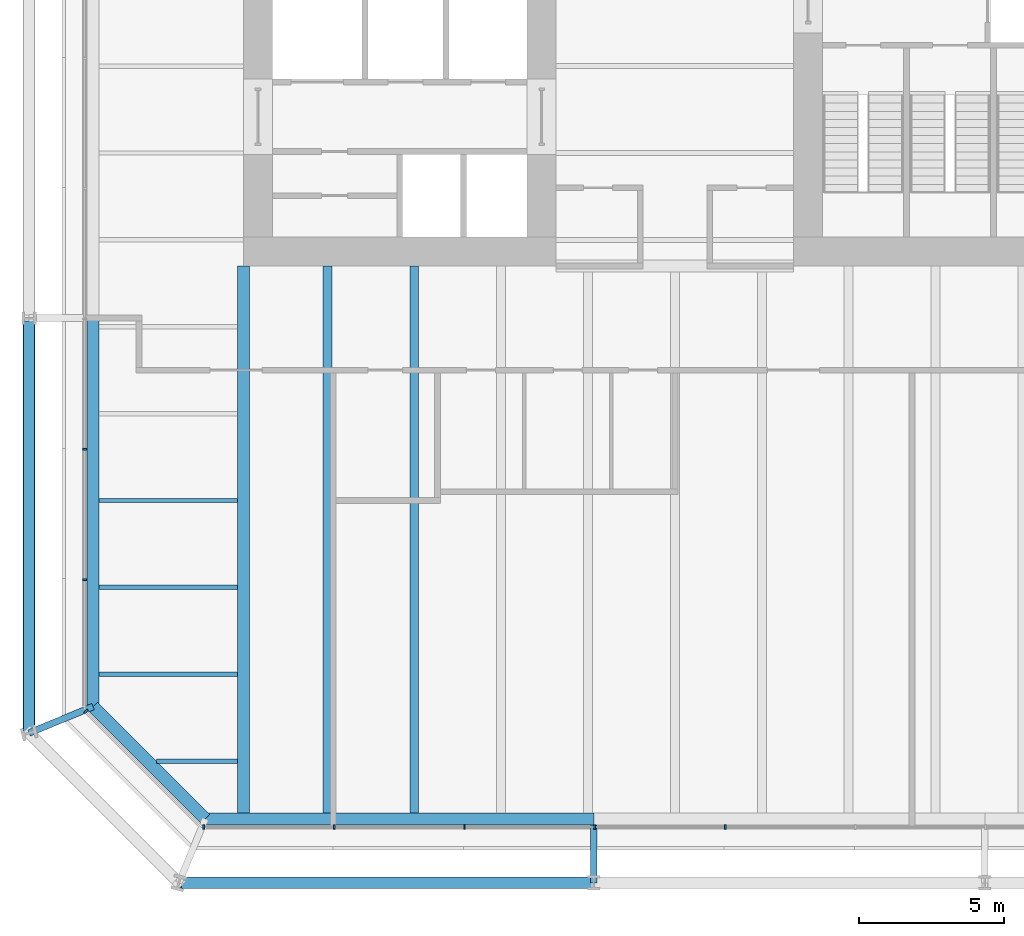
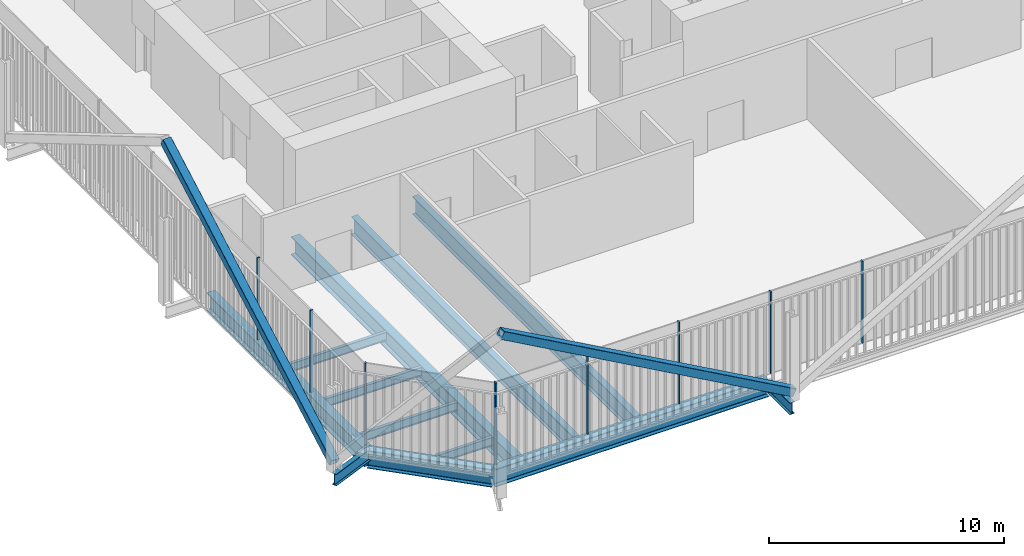
# One storey, part 2 of 21: 12 beams, 10 members, 3 elements without a shape of their own.
"""IFC4 building model written with IfcOpenShell, lengths in metres."""

from ifc_helpers import new_model, si_unit, direction, frame, origin, origin_2d, place, context, subcontext, project, spatial, rectangle, hollow_rectangle, i_section, extrude, material, layer, layer_set, material_profile, profile_set, type_object, element, aggregate, save


model = new_model("IFC4")

# Units and contexts
model_context = context("Model", 3, precision=1e-05, world=origin(), true_north=direction((0.0, 1.0)))
body_context = subcontext(model_context, "Body", "Model", "MODEL_VIEW")
ifc_project = project(units=[si_unit("LENGTHUNIT", "METRE"), si_unit("AREAUNIT", "SQUARE_METRE"), si_unit("VOLUMEUNIT", "CUBIC_METRE"), si_unit("PLANEANGLEUNIT", "RADIAN"), si_unit("MASSUNIT", "GRAM", prefix="KILO")], contexts=[model_context])

# Site, building, storey
site_placement = place(None, origin())
site = spatial("IfcSite", under=ifc_project, at=site_placement, CompositionType="ELEMENT")
building_placement = place(site_placement, origin())
building = spatial("IfcBuilding", under=site, at=building_placement, Name="Millrace Tower", CompositionType="ELEMENT")
storey_placement = place(building_placement, frame((0.0, 0.0, 95.199951171875)))
storey = spatial("IfcBuildingStorey", under=building, at=storey_placement, Name="L21", CompositionType="ELEMENT", Elevation=95.199951171875)

# Curtain wall, member
ifc_material_1 = material(Name="Aluminium and glass", Category="aluminium")
ifc_layer = layer(ifc_material_1, 0.14990234375)
ifc_layer_set = layer_set([ifc_layer], Name="Aluminium and glass")
curtain_wall_type = type_object("IfcCurtainWallType", Name="CW-3 telecom floor curtain wall", PredefinedType="NOTDEFINED", material=ifc_layer_set)
placement = place(storey_placement, origin())
curtain_wall_1 = element("IfcCurtainWall", 1, at=placement, inside=storey, type_object=curtain_wall_type, Name="Curtain wall B-F01 L21", PredefinedType="NOTDEFINED")
ifc_material_2 = material(Name="Aluminium", Category="aluminium")
ifc_material_profile_1 = material_profile(ifc_material_2, rectangle(XDim=0.06494140625, YDim=0.14990234375, at=origin_2d()))
ifc_profile_set_1 = profile_set([ifc_material_profile_1], Name="Aluminium")
member_type_1 = type_object("IfcMemberType", Name="CW-3 telecom floor curtain wall mullion", PredefinedType="MULLION", material=ifc_profile_set_1)
member_1_placement = place(storey_placement, frame((-20.330078125, -25.276123046875, 0.150146484375), z_axis=(0.0, 0.0, 1.0), x_axis=(0.707106781187, -0.707106781187, 0.0)))
member_1 = element("IfcMember", 2, at=member_1_placement, type_object=member_type_1, Name="CW3 mullion B-F01.1", PredefinedType="MULLION", context=body_context, shape_type="SweptSolid", body=[
    extrude(rectangle(XDim=0.06494140625, YDim=0.14990234375, at=origin_2d()), origin(), (0.0, 0.0, 1.0), 4.25),
])
aggregate(curtain_wall_1, [member_1])

# Curtain wall, members
curtain_wall_2 = element("IfcCurtainWall", 3, at=placement, inside=storey, type_object=curtain_wall_type, Name="Curtain wall B-F02 L21", PredefinedType="NOTDEFINED")
member_2_placement = place(storey_placement, frame((-16.267578125, -29.27490234375, 0.150146484375), z_axis=(0.0, 0.0, 1.0), x_axis=(1.0, 0.0, 0.0)))
member_2 = element("IfcMember", 4, at=member_2_placement, type_object=member_type_1, Name="CW3 mullion B-F02.1", PredefinedType="MULLION", context=body_context, shape_type="SweptSolid", body=[
    extrude(rectangle(XDim=0.06494140625, YDim=0.14990234375, at=origin_2d()), origin(), (0.0, 0.0, 1.0), 4.25),
])
member_3_placement = place(storey_placement, frame((-11.767578125, -29.27490234375, 0.150146484375), z_axis=(0.0, 0.0, 1.0), x_axis=(1.0, 0.0, 0.0)))
member_3 = element("IfcMember", 5, at=member_3_placement, type_object=member_type_1, Name="CW3 mullion B-F02.2", PredefinedType="MULLION", context=body_context, shape_type="SweptSolid", body=[
    extrude(rectangle(XDim=0.06494140625, YDim=0.14990234375, at=origin_2d()), origin(), (0.0, 0.0, 1.0), 4.25),
])
member_4_placement = place(storey_placement, frame((-7.267578125, -29.27490234375, 0.150146484375), z_axis=(0.0, 0.0, 1.0), x_axis=(1.0, 0.0, 0.0)))
member_4 = element("IfcMember", 6, at=member_4_placement, type_object=member_type_1, Name="CW3 mullion B-F02.3", PredefinedType="MULLION", context=body_context, shape_type="SweptSolid", body=[
    extrude(rectangle(XDim=0.06494140625, YDim=0.14990234375, at=origin_2d()), origin(), (0.0, 0.0, 1.0), 4.25),
])
member_5_placement = place(storey_placement, frame((-2.767578125, -29.27490234375, 0.150146484375), z_axis=(0.0, 0.0, 1.0), x_axis=(1.0, 0.0, 0.0)))
member_5 = element("IfcMember", 7, at=member_5_placement, type_object=member_type_1, Name="CW3 mullion B-F02.4", PredefinedType="MULLION", context=body_context, shape_type="SweptSolid", body=[
    extrude(rectangle(XDim=0.06494140625, YDim=0.14990234375, at=origin_2d()), origin(), (0.0, 0.0, 1.0), 4.25),
])
member_6_placement = place(storey_placement, frame((1.732421875, -29.27490234375, 0.150146484375), z_axis=(0.0, 0.0, 1.0), x_axis=(1.0, 0.0, 0.0)))
member_6 = element("IfcMember", 8, at=member_6_placement, type_object=member_type_1, Name="CW3 mullion B-F02.5", PredefinedType="MULLION", context=body_context, shape_type="SweptSolid", body=[
    extrude(rectangle(XDim=0.06494140625, YDim=0.14990234375, at=origin_2d()), origin(), (0.0, 0.0, 1.0), 4.25),
])
aggregate(curtain_wall_2, [member_2, member_3, member_4, member_5, member_6])

curtain_wall_3 = element("IfcCurtainWall", 9, at=placement, inside=storey, type_object=curtain_wall_type, Name="Curtain wall B-F08 L21", PredefinedType="NOTDEFINED")
member_7_placement = place(storey_placement, frame((-20.375, -16.232421875, 0.150146484375), z_axis=(0.0, 0.0, 1.0), x_axis=(0.0, -1.0, 0.0)))
member_7 = element("IfcMember", 10, at=member_7_placement, type_object=member_type_1, Name="CW3 mullion B-F08.8", PredefinedType="MULLION", context=body_context, shape_type="SweptSolid", body=[
    extrude(rectangle(XDim=0.06494140625, YDim=0.14990234375, at=origin_2d()), origin(), (0.0, 0.0, 1.0), 4.25),
])
member_8_placement = place(storey_placement, frame((-20.375, -20.732421875, 0.150146484375), z_axis=(0.0, 0.0, 1.0), x_axis=(0.0, -1.0, 0.0)))
member_8 = element("IfcMember", 11, at=member_8_placement, type_object=member_type_1, Name="CW3 mullion B-F08.9", PredefinedType="MULLION", context=body_context, shape_type="SweptSolid", body=[
    extrude(rectangle(XDim=0.06494140625, YDim=0.14990234375, at=origin_2d()), origin(), (0.0, 0.0, 1.0), 4.25),
])
aggregate(curtain_wall_3, [member_7, member_8])

# Members
ifc_material_3 = material(Name="Steel ASTM A500 Grade C", Category="steel")
ifc_material_profile_2 = material_profile(ifc_material_3, hollow_rectangle(XDim=0.406494140625, YDim=0.406494140625, WallThickness=0.0126953125, InnerFilletRadius=0.00634765625, OuterFilletRadius=0.01904296875, at=origin_2d()))
ifc_profile_set_2 = profile_set([ifc_material_profile_2], Name="Steel ASTM A500 Grade C")
member_type_2 = type_object("IfcMemberType", Name="Exoskeleton brace HSS16x16x1/2", PredefinedType="BRACE", material=ifc_profile_set_2)
for number, where, z_axis, x_axis, name in (
    (12, (-2.800048828125, -31.199951171875, 0.400146484375), (-0.873125840427, 0.0, 0.487494888976), (0.0, -1.0, 0.0), "BRC-B-L21-02"),
    (13, (-22.300048828125, -26.0283203125, 0.400146484375), (0.0, 0.873125840427, 0.487494888976), (-1.0, 0.0, 0.0), "BRC-B-L21-16"),
):
    element("IfcMember", number, at=place(storey_placement, frame(where, z_axis=z_axis, x_axis=x_axis)), inside=storey, type_object=member_type_2, Name=name, PredefinedType="BRACE", context=body_context, shape_type="SweptSolid", body=[
        extrude(hollow_rectangle(XDim=0.406494140625, YDim=0.406494140625, WallThickness=0.0126953125, InnerFilletRadius=0.00634765625, OuterFilletRadius=0.01904296875, at=origin_2d()), origin(), (0.0, 0.0, 1.0), 16.410400390625),
    ])

# Beams
ifc_material_4 = material(Name="Steel ASTM A992 Grade 50", Category="steel")
ifc_material_profile_3 = material_profile(ifc_material_4, i_section(OverallWidth=0.15234375, OverallDepth=0.449462890625, WebThickness=0.007568359375, FlangeThickness=0.0107421875, FilletRadius=0.01025390625, at=origin_2d()))
ifc_profile_set_3 = profile_set([ifc_material_profile_3], Name="Steel ASTM A992 Grade 50")
beam_type_1 = type_object("IfcBeamType", Name="Floor beam W18x35", PredefinedType="JOIST", material=ifc_profile_set_3)
for number, where, z_axis, x_axis, name in (
    (14, (-19.880859375, -24.0, -0.4248046875), (1.0, 0.0, 0.0), (0.0, 1.0, 0.0), "BM-B-L21-S1-S003"),
    (15, (-19.880859375, -21.0, -0.4248046875), (1.0, 0.0, 0.0), (0.0, 1.0, 0.0), "BM-B-L21-S1-S005"),
    (16, (-19.880859375, -18.0, -0.4248046875), (1.0, 0.0, 0.0), (0.0, 1.0, 0.0), "BM-B-L21-S1-S007"),
):
    element("IfcBeam", number, at=place(storey_placement, frame(where, z_axis=z_axis, x_axis=x_axis)), inside=storey, type_object=beam_type_1, Name=name, PredefinedType="JOIST", context=body_context, shape_type="SweptSolid", body=[
        extrude(i_section(OverallWidth=0.15234375, OverallDepth=0.449462890625, WebThickness=0.007568359375, FlangeThickness=0.0107421875, FilletRadius=0.01025390625, at=origin_2d()), origin(), (0.0, 0.0, 1.0), 4.77001953125),
    ])
beam_1_placement = place(storey_placement, frame((-17.895263671875, -27.0, -0.4248046875), z_axis=(1.0, 0.0, 0.0), x_axis=(0.0, 1.0, 0.0)))
element("IfcBeam", 17, at=beam_1_placement, inside=storey, type_object=beam_type_1, Name="BM-B-L21-S1-S001", PredefinedType="JOIST", context=body_context, shape_type="SweptSolid", body=[
    extrude(i_section(OverallWidth=0.15234375, OverallDepth=0.449462890625, WebThickness=0.007568359375, FlangeThickness=0.0107421875, FilletRadius=0.01025390625, at=origin_2d()), origin(), (0.0, 0.0, 1.0), 2.784423828125),
])
ifc_material_5 = material(Name="Steel ASTM A992 Grade 50", Category="steel")
ifc_material_profile_4 = material_profile(ifc_material_5, i_section(OverallWidth=0.307373046875, OverallDepth=0.927001953125, WebThickness=0.01953125, FlangeThickness=0.031982421875, FilletRadius=0.01904296875, at=origin_2d()))
ifc_profile_set_4 = profile_set([ifc_material_profile_4], Name="Steel ASTM A992 Grade 50")
beam_type_2 = type_object("IfcBeamType", Name="Floor beam W36x194", PredefinedType="JOIST", material=ifc_profile_set_4)
for number, where, z_axis, x_axis, name in (
    (18, (-12.0, -28.781005859375, -0.66357421875), (0.0, 1.0, 0.0), (-1.0, 0.0, 0.0), "BM-B-L21-S1-S041"),
    (19, (-9.0, -28.781005859375, -0.66357421875), (0.0, 1.0, 0.0), (-1.0, 0.0, 0.0), "BM-B-L21-S1-S043"),
):
    element("IfcBeam", number, at=place(storey_placement, frame(where, z_axis=z_axis, x_axis=x_axis)), inside=storey, type_object=beam_type_2, Name=name, PredefinedType="JOIST", context=body_context, shape_type="SweptSolid", body=[
        extrude(i_section(OverallWidth=0.307373046875, OverallDepth=0.927001953125, WebThickness=0.01953125, FlangeThickness=0.031982421875, FilletRadius=0.01904296875, at=origin_2d()), origin(), (0.0, 0.0, 1.0), 18.881103515625),
    ])
ifc_material_6 = material(Name="Steel ASTM A992 Grade 50", Category="steel")
ifc_material_profile_5 = material_profile(ifc_material_6, i_section(OverallWidth=0.424072265625, OverallDepth=0.947509765625, WebThickness=0.02392578125, FlangeThickness=0.042724609375, FilletRadius=0.024169921875, at=origin_2d()))
ifc_profile_set_5 = profile_set([ifc_material_profile_5], Name="Steel ASTM A992 Grade 50")
beam_type_3 = type_object("IfcBeamType", Name="Girder medium span W36x302", PredefinedType="BEAM", material=ifc_profile_set_5)
beam_2_placement = place(storey_placement, frame((-14.89990234375, -28.781005859375, -0.673583984375), z_axis=(0.0, 1.0, 0.0), x_axis=(-1.0, 0.0, 0.0)))
element("IfcBeam", 20, at=beam_2_placement, inside=storey, type_object=beam_type_3, Name="BM-B-L21-S1-G059", PredefinedType="BEAM", context=body_context, shape_type="SweptSolid", body=[
    extrude(i_section(OverallWidth=0.424072265625, OverallDepth=0.947509765625, WebThickness=0.02392578125, FlangeThickness=0.042724609375, FilletRadius=0.024169921875, at=origin_2d()), origin(), (0.0, 0.0, 1.0), 18.881103515625),
])
ifc_material_7 = material(Name="Steel ASTM A992 Grade 50", Category="steel")
ifc_material_profile_6 = material_profile(ifc_material_7, i_section(OverallWidth=0.23046875, OverallDepth=0.6171875, WebThickness=0.01318359375, FlangeThickness=0.022216796875, FilletRadius=0.012939453125, at=origin_2d()))
ifc_profile_set_6 = profile_set([ifc_material_profile_6], Name="Steel ASTM A992 Grade 50")
beam_type_4 = type_object("IfcBeamType", Name="Link beam W24x94", PredefinedType="BEAM", material=ifc_profile_set_6)
beam_3_placement = place(storey_placement, frame((-20.09033203125, -25.11328125, -0.508544921875), z_axis=(-0.923917312949, -0.382592209583, 0.0), x_axis=(0.382592209583, -0.923917312949, 0.0)))
element("IfcBeam", 21, at=beam_3_placement, inside=storey, type_object=beam_type_4, Name="LNK-B-L21-S1-01", PredefinedType="BEAM", context=body_context, shape_type="SweptSolid", body=[
    extrude(i_section(OverallWidth=0.23046875, OverallDepth=0.6171875, WebThickness=0.01318359375, FlangeThickness=0.022216796875, FilletRadius=0.012939453125, at=origin_2d()), origin(), (0.0, 0.0, 1.0), 2.3916015625),
])
beam_4_placement = place(storey_placement, frame((-2.800048828125, -29.199951171875, -0.508544921875), z_axis=(0.0, -1.0, 0.0), x_axis=(1.0, 0.0, 0.0)))
element("IfcBeam", 22, at=beam_4_placement, inside=storey, type_object=beam_type_4, Name="LNK-B-L21-S1-15", PredefinedType="BEAM", context=body_context, shape_type="SweptSolid", body=[
    extrude(i_section(OverallWidth=0.23046875, OverallDepth=0.6171875, WebThickness=0.01318359375, FlangeThickness=0.022216796875, FilletRadius=0.012939453125, at=origin_2d()), origin(), (0.0, 0.0, 1.0), 2.0),
])
ifc_material_8 = material(Name="Steel ASTM A992 Grade 50", Category="steel")
ifc_material_profile_7 = material_profile(ifc_material_8, i_section(OverallWidth=0.419189453125, OverallDepth=0.927001953125, WebThickness=0.019287109375, FlangeThickness=0.031982421875, FilletRadius=0.024169921875, at=origin_2d()))
ifc_profile_set_7 = profile_set([ifc_material_profile_7], Name="Steel ASTM A992 Grade 50")
beam_type_5 = type_object("IfcBeamType", Name="Ring beam medium span W36x231", PredefinedType="SPANDREL", material=ifc_profile_set_7)
beam_5_placement = place(storey_placement, frame((-20.09033203125, -25.11328125, -0.66357421875), z_axis=(0.0, 1.0, 0.0), x_axis=(-1.0, 0.0, 0.0)))
element("IfcBeam", 23, at=beam_5_placement, inside=storey, type_object=beam_type_5, Name="RNG-B-L21-S1-01", PredefinedType="SPANDREL", context=body_context, shape_type="SweptSolid", body=[
    extrude(i_section(OverallWidth=0.419189453125, OverallDepth=0.927001953125, WebThickness=0.019287109375, FlangeThickness=0.031982421875, FilletRadius=0.024169921875, at=origin_2d()), origin(), (0.0, 0.0, 1.0), 13.413330078125),
])
beam_6_placement = place(storey_placement, frame((-2.800048828125, -28.990478515625, -0.66357421875), z_axis=(-1.0, 0.0, 0.0), x_axis=(0.0, -1.0, 0.0)))
element("IfcBeam", 24, at=beam_6_placement, inside=storey, type_object=beam_type_5, Name="RNG-B-L21-S1-15", PredefinedType="SPANDREL", context=body_context, shape_type="SweptSolid", body=[
    extrude(i_section(OverallWidth=0.419189453125, OverallDepth=0.927001953125, WebThickness=0.019287109375, FlangeThickness=0.031982421875, FilletRadius=0.024169921875, at=origin_2d()), origin(), (0.0, 0.0, 1.0), 13.4130859375),
])
ifc_material_9 = material(Name="Steel ASTM A992 Grade 50", Category="steel")
ifc_material_profile_8 = material_profile(ifc_material_9, i_section(OverallWidth=0.419189453125, OverallDepth=0.927001953125, WebThickness=0.019287109375, FlangeThickness=0.031982421875, FilletRadius=0.024169921875, at=origin_2d()))
ifc_profile_set_8 = profile_set([ifc_material_profile_8], Name="Steel ASTM A992 Grade 50")
beam_type_6 = type_object("IfcBeamType", Name="Ring beam short span W36x231", PredefinedType="SPANDREL", material=ifc_profile_set_8)
beam_7_placement = place(storey_placement, frame((-16.213134765625, -28.990478515625, -0.66357421875), z_axis=(-0.707106781187, 0.707106781187, 0.0), x_axis=(-0.707106781187, -0.707106781187, 0.0)))
element("IfcBeam", 25, at=beam_7_placement, inside=storey, type_object=beam_type_6, Name="RNG-B-L21-S1-16", PredefinedType="SPANDREL", context=body_context, shape_type="SweptSolid", body=[
    extrude(i_section(OverallWidth=0.419189453125, OverallDepth=0.927001953125, WebThickness=0.019287109375, FlangeThickness=0.031982421875, FilletRadius=0.024169921875, at=origin_2d()), origin(), (0.0, 0.0, 1.0), 5.483154296875),
])

save(model, "model.ifc")
